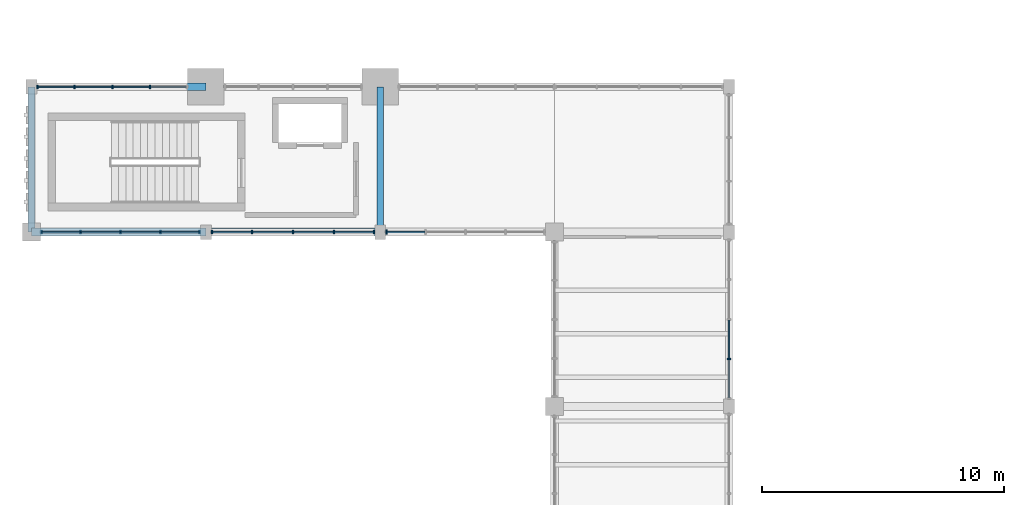
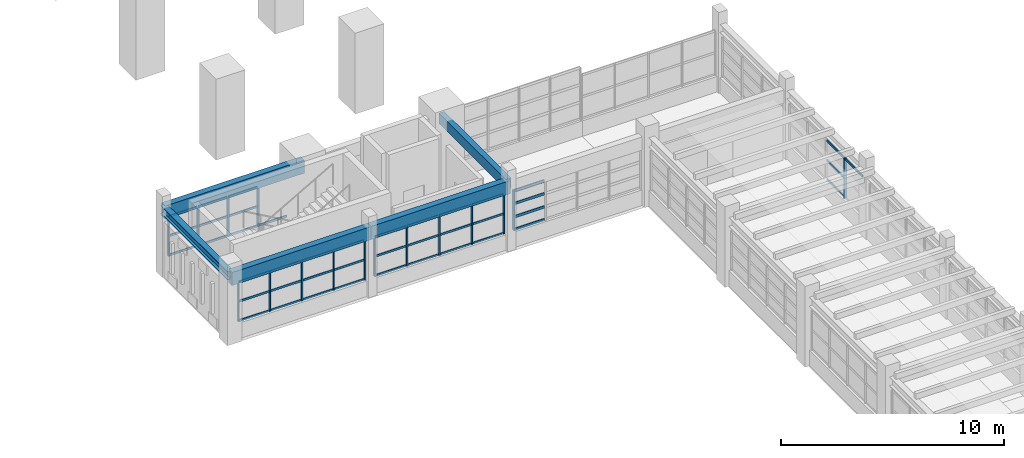
# One storey, part 6 of 69: 58 members, 5 beams, 5 elements without a shape of their own.
"""IFC4 building model written with IfcOpenShell, lengths in metres."""

from ifc_helpers import new_model, si_unit, direction, frame, origin, origin_2d, place, context, subcontext, project, spatial, rectangle, i_section, extrude, material, material_profile, profile_set, type_object, element, aggregate, save


model = new_model("IFC4")

# Units and contexts
model_context = context("Model", 3, precision=1e-05, world=origin(), true_north=direction((0.0, 1.0)))
body_context = subcontext(model_context, "Body", "Model", "MODEL_VIEW")
ifc_project = project(units=[si_unit("LENGTHUNIT", "METRE"), si_unit("AREAUNIT", "SQUARE_METRE"), si_unit("VOLUMEUNIT", "CUBIC_METRE"), si_unit("PLANEANGLEUNIT", "RADIAN"), si_unit("MASSUNIT", "GRAM", prefix="KILO")], contexts=[model_context])

# Site, building, storey
site_placement = place(None, origin())
site = spatial("IfcSite", under=ifc_project, at=site_placement, CompositionType="ELEMENT")
building_placement = place(site_placement, origin())
building = spatial("IfcBuilding", under=site, at=building_placement, Name="Nzembalo Square Collegiate School", CompositionType="ELEMENT")
storey_placement = place(building_placement, frame((0.0, 0.0, 5.10009765625)))
storey = spatial("IfcBuildingStorey", under=building, at=storey_placement, Name="L01", CompositionType="ELEMENT", Elevation=5.10009765625)

# Beams
ifc_material_1 = material(Name="Glulam GL32h", Category="wood")
ifc_material_profile_1 = material_profile(ifc_material_1, rectangle(XDim=0.320068359375, YDim=0.719970703125, at=origin_2d()), Name="GL32h 320x720")
ifc_profile_set_1 = profile_set([ifc_material_profile_1], Name="Glulam GL32h")
beam_type_1 = type_object("IfcBeamType", Name="B03", PredefinedType="BEAM", material=ifc_profile_set_1)
beam_1_placement = place(storey_placement, frame((8.39990234375, 44.39990234375, 3.389892578125), z_axis=(1.0, 0.0, 0.0), x_axis=(0.0, 1.0, 0.0)))
element("IfcBeam", 1, at=beam_1_placement, inside=storey, type_object=beam_type_1, Name="Beam B03 L01", PredefinedType="BEAM", context=body_context, shape_type="SweptSolid", body=[
    extrude(rectangle(XDim=0.320068359375, YDim=0.719970703125, at=origin_2d()), origin(), (0.0, 0.0, 1.0), 7.2001953125),
])
beam_2_placement = place(storey_placement, frame((15.60009765625, 44.39990234375, 3.389892578125), z_axis=(1.0, 0.0, 0.0), x_axis=(0.0, 1.0, 0.0)))
element("IfcBeam", 2, at=beam_2_placement, inside=storey, type_object=beam_type_1, Name="Beam B03 L01", PredefinedType="BEAM", context=body_context, shape_type="SweptSolid", body=[
    extrude(rectangle(XDim=0.320068359375, YDim=0.719970703125, at=origin_2d()), origin(), (0.0, 0.0, 1.0), 7.199951171875),
])
beam_3_placement = place(storey_placement, frame((8.39990234375, 50.39990234375, 3.389892578125), z_axis=(1.0, 0.0, 0.0), x_axis=(0.0, 1.0, 0.0)))
element("IfcBeam", 3, at=beam_3_placement, inside=storey, type_object=beam_type_1, Name="Beam B03 L01", PredefinedType="BEAM", context=body_context, shape_type="SweptSolid", body=[
    extrude(rectangle(XDim=0.320068359375, YDim=0.719970703125, at=origin_2d()), origin(), (0.0, 0.0, 1.0), 7.2001953125),
])
ifc_material_2 = material(Name="Glulam GL28h", Category="wood")
ifc_material_profile_2 = material_profile(ifc_material_2, rectangle(XDim=0.280029296875, YDim=0.56005859375, at=origin_2d()), Name="GL28h 280x560")
ifc_profile_set_2 = profile_set([ifc_material_profile_2], Name="Glulam GL28h")
beam_type_2 = type_object("IfcBeamType", Name="B05", PredefinedType="BEAM", material=ifc_profile_set_2)
beam_4_placement = place(storey_placement, frame((22.800048828125, 44.39990234375, 3.469970703125), z_axis=(0.0, 1.0, 0.0), x_axis=(-1.0, 0.0, 0.0)))
element("IfcBeam", 4, at=beam_4_placement, inside=storey, type_object=beam_type_2, Name="Beam B05 L01", PredefinedType="BEAM", context=body_context, shape_type="SweptSolid", body=[
    extrude(rectangle(XDim=0.280029296875, YDim=0.56005859375, at=origin_2d()), origin(), (0.0, 0.0, 1.0), 6.0),
])
ifc_material_3 = material(Name="Steel S355", Category="steel")
ifc_material_profile_3 = material_profile(ifc_material_3, i_section(OverallWidth=0.300048828125, OverallDepth=0.449951171875, WebThickness=0.013916015625, FlangeThickness=0.02587890625, at=origin_2d()), Name="HEB 450")
ifc_profile_set_3 = profile_set([ifc_material_profile_3], Name="Steel S355")
beam_type_3 = type_object("IfcBeamType", Name="B08", PredefinedType="BEAM", material=ifc_profile_set_3)
beam_5_placement = place(storey_placement, frame((8.39990234375, 44.39990234375, 3.52490234375), z_axis=(0.0, 1.0, 0.0), x_axis=(-1.0, 0.0, 0.0)))
element("IfcBeam", 5, at=beam_5_placement, inside=storey, type_object=beam_type_3, Name="Beam B08 L01", PredefinedType="BEAM", context=body_context, shape_type="SweptSolid", body=[
    extrude(i_section(OverallWidth=0.300048828125, OverallDepth=0.449951171875, WebThickness=0.013916015625, FlangeThickness=0.02587890625, at=origin_2d()), origin(), (0.0, 0.0, 1.0), 6.0),
])

# Curtain wall, member
ifc_material_4 = material(Name="Aluminium 6060-T66", Category="aluminium")
curtain_wall_type_1 = type_object("IfcCurtainWallType", Name="CW-05", PredefinedType="USERDEFINED", material=ifc_material_4)
curtain_wall_1_placement = place(storey_placement, origin())
curtain_wall_1 = element("IfcCurtainWall", 6, at=curtain_wall_1_placement, inside=storey, type_object=curtain_wall_type_1, Name="Curtain wall CW-05 cw:L01:052", ObjectType="LANCET", PredefinedType="USERDEFINED")
ifc_material_5 = material(Name="Aluminium 6060-T66", Category="aluminium")
ifc_material_profile_4 = material_profile(ifc_material_5, rectangle(XDim=0.06005859375, YDim=0.179931640625, at=origin_2d()), Name="ALU M60x180")
ifc_profile_set_4 = profile_set([ifc_material_profile_4], Name="Aluminium 6060-T66")
member_type_1 = type_object("IfcMemberType", Name="ML01", PredefinedType="MULLION", material=ifc_profile_set_4)
member_1_placement = place(storey_placement, frame((23.056884765625, 44.39990234375, 0.849853515625), z_axis=(0.0, 0.0, 1.0), x_axis=(1.0, 0.0, 0.0)))
member_1 = element("IfcMember", 7, at=member_1_placement, type_object=member_type_1, Name="ML01 mullion 1", PredefinedType="MULLION", context=body_context, shape_type="SweptSolid", body=[
    extrude(rectangle(XDim=0.06005859375, YDim=0.179931640625, at=origin_2d()), origin(), (0.0, 0.0, 1.0), 2.174072265625),
])

# Curtain wall, members
ifc_material_6 = material(Name="Aluminium 6060-T66", Category="aluminium")
curtain_wall_type_2 = type_object("IfcCurtainWallType", Name="CW-04", PredefinedType="USERDEFINED", material=ifc_material_6)
curtain_wall_2_placement = place(storey_placement, origin())
curtain_wall_2 = element("IfcCurtainWall", 8, at=curtain_wall_2_placement, inside=storey, type_object=curtain_wall_type_2, Name="Curtain wall CW-04 cw:L01:035", ObjectType="UNITISED", PredefinedType="USERDEFINED")
ifc_material_7 = material(Name="Aluminium 6060-T66", Category="aluminium")
ifc_material_profile_5 = material_profile(ifc_material_7, rectangle(XDim=0.06005859375, YDim=0.14990234375, at=origin_2d()), Name="ALU M60x150")
ifc_profile_set_5 = profile_set([ifc_material_profile_5], Name="Aluminium 6060-T66")
member_type_2 = type_object("IfcMemberType", Name="ML02", PredefinedType="MULLION", material=ifc_profile_set_5)
member_2_placement = place(storey_placement, frame((8.656982421875, 50.39990234375, 0.849853515625), z_axis=(0.0, 0.0, 1.0), x_axis=(1.0, 0.0, 0.0)))
member_2 = element("IfcMember", 9, at=member_2_placement, type_object=member_type_2, Name="ML02 mullion 1", PredefinedType="MULLION", context=body_context, shape_type="SweptSolid", body=[
    extrude(rectangle(XDim=0.06005859375, YDim=0.14990234375, at=origin_2d()), origin(), (0.0, 0.0, 1.0), 2.174072265625),
])
member_3_placement = place(storey_placement, frame((10.18212890625, 50.39990234375, 0.849853515625), z_axis=(0.0, 0.0, 1.0), x_axis=(1.0, 0.0, 0.0)))
member_3 = element("IfcMember", 10, at=member_3_placement, type_object=member_type_2, Name="ML02 mullion 2", PredefinedType="MULLION", context=body_context, shape_type="SweptSolid", body=[
    extrude(rectangle(XDim=0.06005859375, YDim=0.14990234375, at=origin_2d()), origin(), (0.0, 0.0, 1.0), 2.174072265625),
])
member_4_placement = place(storey_placement, frame((11.737548828125, 50.39990234375, 0.849853515625), z_axis=(0.0, 0.0, 1.0), x_axis=(1.0, 0.0, 0.0)))
member_4 = element("IfcMember", 11, at=member_4_placement, type_object=member_type_2, Name="ML02 mullion 3", PredefinedType="MULLION", context=body_context, shape_type="SweptSolid", body=[
    extrude(rectangle(XDim=0.06005859375, YDim=0.14990234375, at=origin_2d()), origin(), (0.0, 0.0, 1.0), 2.174072265625),
])
member_5_placement = place(storey_placement, frame((13.292724609375, 50.39990234375, 0.849853515625), z_axis=(0.0, 0.0, 1.0), x_axis=(1.0, 0.0, 0.0)))
member_5 = element("IfcMember", 12, at=member_5_placement, type_object=member_type_2, Name="ML02 mullion 4", PredefinedType="MULLION", context=body_context, shape_type="SweptSolid", body=[
    extrude(rectangle(XDim=0.06005859375, YDim=0.14990234375, at=origin_2d()), origin(), (0.0, 0.0, 1.0), 2.174072265625),
])

# Curtain wall, member
curtain_wall_3_placement = place(storey_placement, origin())
curtain_wall_3 = element("IfcCurtainWall", 13, at=curtain_wall_3_placement, inside=storey, type_object=curtain_wall_type_2, Name="Curtain wall CW-04 cw:L01:043", ObjectType="UNITISED", PredefinedType="USERDEFINED")
member_6_placement = place(storey_placement, frame((37.199951171875, 39.15087890625, 0.849853515625), z_axis=(0.0, 0.0, 1.0), x_axis=(0.0, 1.0, 0.0)))
member_6 = element("IfcMember", 14, at=member_6_placement, type_object=member_type_2, Name="ML02 mullion 2", PredefinedType="MULLION", context=body_context, shape_type="SweptSolid", body=[
    extrude(rectangle(XDim=0.06005859375, YDim=0.14990234375, at=origin_2d()), origin(), (0.0, 0.0, 1.0), 2.174072265625),
])

# Curtain wall, members
ifc_material_8 = material(Name="Aluminium 6060-T66", Category="aluminium")
curtain_wall_type_3 = type_object("IfcCurtainWallType", Name="CW-03", PredefinedType="USERDEFINED", material=ifc_material_8)
curtain_wall_4_placement = place(storey_placement, origin())
curtain_wall_4 = element("IfcCurtainWall", 15, at=curtain_wall_4_placement, inside=storey, type_object=curtain_wall_type_3, Name="Curtain wall CW-03 cw:L01:050", ObjectType="UNITISED", PredefinedType="USERDEFINED")
member_7_placement = place(storey_placement, frame((8.806884765625, 44.39990234375, 0.849853515625), z_axis=(0.0, 0.0, 1.0), x_axis=(1.0, 0.0, 0.0)))
member_7 = element("IfcMember", 16, at=member_7_placement, type_object=member_type_2, Name="ML02 mullion 1", PredefinedType="MULLION", context=body_context, shape_type="SweptSolid", body=[
    extrude(rectangle(XDim=0.06005859375, YDim=0.14990234375, at=origin_2d()), origin(), (0.0, 0.0, 1.0), 2.174072265625),
])
member_8_placement = place(storey_placement, frame((10.426025390625, 44.39990234375, 0.849853515625), z_axis=(0.0, 0.0, 1.0), x_axis=(1.0, 0.0, 0.0)))
member_8 = element("IfcMember", 17, at=member_8_placement, type_object=member_type_2, Name="ML02 mullion 2", PredefinedType="MULLION", context=body_context, shape_type="SweptSolid", body=[
    extrude(rectangle(XDim=0.06005859375, YDim=0.14990234375, at=origin_2d()), origin(), (0.0, 0.0, 1.0), 2.174072265625),
])
member_9_placement = place(storey_placement, frame((12.074951171875, 44.39990234375, 0.849853515625), z_axis=(0.0, 0.0, 1.0), x_axis=(1.0, 0.0, 0.0)))
member_9 = element("IfcMember", 18, at=member_9_placement, type_object=member_type_2, Name="ML02 mullion 3", PredefinedType="MULLION", context=body_context, shape_type="SweptSolid", body=[
    extrude(rectangle(XDim=0.06005859375, YDim=0.14990234375, at=origin_2d()), origin(), (0.0, 0.0, 1.0), 2.174072265625),
])
member_10_placement = place(storey_placement, frame((13.72412109375, 44.39990234375, 0.849853515625), z_axis=(0.0, 0.0, 1.0), x_axis=(1.0, 0.0, 0.0)))
member_10 = element("IfcMember", 19, at=member_10_placement, type_object=member_type_2, Name="ML02 mullion 4", PredefinedType="MULLION", context=body_context, shape_type="SweptSolid", body=[
    extrude(rectangle(XDim=0.06005859375, YDim=0.14990234375, at=origin_2d()), origin(), (0.0, 0.0, 1.0), 2.174072265625),
])
member_11_placement = place(storey_placement, frame((15.343017578125, 44.39990234375, 0.849853515625), z_axis=(0.0, 0.0, 1.0), x_axis=(1.0, 0.0, 0.0)))
member_11 = element("IfcMember", 20, at=member_11_placement, type_object=member_type_2, Name="ML02 mullion 5", PredefinedType="MULLION", context=body_context, shape_type="SweptSolid", body=[
    extrude(rectangle(XDim=0.06005859375, YDim=0.14990234375, at=origin_2d()), origin(), (0.0, 0.0, 1.0), 2.174072265625),
])

curtain_wall_5_placement = place(storey_placement, origin())
curtain_wall_5 = element("IfcCurtainWall", 21, at=curtain_wall_5_placement, inside=storey, type_object=curtain_wall_type_2, Name="Curtain wall CW-04 cw:L01:051", ObjectType="UNITISED", PredefinedType="USERDEFINED")
member_12_placement = place(storey_placement, frame((15.85693359375, 44.39990234375, 0.849853515625), z_axis=(0.0, 0.0, 1.0), x_axis=(1.0, 0.0, 0.0)))
member_12 = element("IfcMember", 22, at=member_12_placement, type_object=member_type_2, Name="ML02 mullion 1", PredefinedType="MULLION", context=body_context, shape_type="SweptSolid", body=[
    extrude(rectangle(XDim=0.06005859375, YDim=0.14990234375, at=origin_2d()), origin(), (0.0, 0.0, 1.0), 2.174072265625),
])
member_13_placement = place(storey_placement, frame((17.513427734375, 44.39990234375, 0.849853515625), z_axis=(0.0, 0.0, 1.0), x_axis=(1.0, 0.0, 0.0)))
member_13 = element("IfcMember", 23, at=member_13_placement, type_object=member_type_2, Name="ML02 mullion 2", PredefinedType="MULLION", context=body_context, shape_type="SweptSolid", body=[
    extrude(rectangle(XDim=0.06005859375, YDim=0.14990234375, at=origin_2d()), origin(), (0.0, 0.0, 1.0), 2.174072265625),
])
member_14_placement = place(storey_placement, frame((19.199951171875, 44.39990234375, 0.849853515625), z_axis=(0.0, 0.0, 1.0), x_axis=(1.0, 0.0, 0.0)))
member_14 = element("IfcMember", 24, at=member_14_placement, type_object=member_type_2, Name="ML02 mullion 3", PredefinedType="MULLION", context=body_context, shape_type="SweptSolid", body=[
    extrude(rectangle(XDim=0.06005859375, YDim=0.14990234375, at=origin_2d()), origin(), (0.0, 0.0, 1.0), 2.174072265625),
])
member_15_placement = place(storey_placement, frame((20.886474609375, 44.39990234375, 0.849853515625), z_axis=(0.0, 0.0, 1.0), x_axis=(1.0, 0.0, 0.0)))
member_15 = element("IfcMember", 25, at=member_15_placement, type_object=member_type_2, Name="ML02 mullion 4", PredefinedType="MULLION", context=body_context, shape_type="SweptSolid", body=[
    extrude(rectangle(XDim=0.06005859375, YDim=0.14990234375, at=origin_2d()), origin(), (0.0, 0.0, 1.0), 2.174072265625),
])
member_16_placement = place(storey_placement, frame((22.54296875, 44.39990234375, 0.849853515625), z_axis=(0.0, 0.0, 1.0), x_axis=(1.0, 0.0, 0.0)))
member_16 = element("IfcMember", 26, at=member_16_placement, type_object=member_type_2, Name="ML02 mullion 5", PredefinedType="MULLION", context=body_context, shape_type="SweptSolid", body=[
    extrude(rectangle(XDim=0.06005859375, YDim=0.14990234375, at=origin_2d()), origin(), (0.0, 0.0, 1.0), 2.174072265625),
])

# Member
ifc_material_9 = material(Name="Aluminium 6060-T66", Category="aluminium")
ifc_material_profile_6 = material_profile(ifc_material_9, rectangle(XDim=0.06005859375, YDim=0.139892578125, at=origin_2d()), Name="ALU T60x140")
ifc_profile_set_6 = profile_set([ifc_material_profile_6], Name="Aluminium 6060-T66")
member_type_3 = type_object("IfcMemberType", Name="TR01", PredefinedType="USERDEFINED", material=ifc_profile_set_6)
member_17_placement = place(storey_placement, frame((23.0869140625, 44.39990234375, 0.8798828125), z_axis=(1.0, 0.0, 0.0), x_axis=(0.0, 1.0, 0.0)))
member_17 = element("IfcMember", 27, at=member_17_placement, type_object=member_type_3, Name="TR01 transom 1-1", ObjectType="TRANSOM", PredefinedType="USERDEFINED", context=body_context, shape_type="SweptSolid", body=[
    extrude(rectangle(XDim=0.06005859375, YDim=0.139892578125, at=origin_2d()), origin(), (0.0, 0.0, 1.0), 1.55908203125),
])

member_18_placement = place(storey_placement, frame((23.0869140625, 44.39990234375, 1.574462890625), z_axis=(1.0, 0.0, 0.0), x_axis=(0.0, 1.0, 0.0)))
member_18 = element("IfcMember", 28, at=member_18_placement, type_object=member_type_3, Name="TR01 transom 2-1", ObjectType="TRANSOM", PredefinedType="USERDEFINED", context=body_context, shape_type="SweptSolid", body=[
    extrude(rectangle(XDim=0.06005859375, YDim=0.139892578125, at=origin_2d()), origin(), (0.0, 0.0, 1.0), 1.55908203125),
])

member_19_placement = place(storey_placement, frame((23.0869140625, 44.39990234375, 2.29931640625), z_axis=(1.0, 0.0, 0.0), x_axis=(0.0, 1.0, 0.0)))
member_19 = element("IfcMember", 29, at=member_19_placement, type_object=member_type_3, Name="TR01 transom 3-1", ObjectType="TRANSOM", PredefinedType="USERDEFINED", context=body_context, shape_type="SweptSolid", body=[
    extrude(rectangle(XDim=0.06005859375, YDim=0.139892578125, at=origin_2d()), origin(), (0.0, 0.0, 1.0), 1.55908203125),
])

member_20_placement = place(storey_placement, frame((23.0869140625, 44.39990234375, 2.993896484375), z_axis=(1.0, 0.0, 0.0), x_axis=(0.0, 1.0, 0.0)))
member_20 = element("IfcMember", 30, at=member_20_placement, type_object=member_type_3, Name="TR01 transom 4-1", ObjectType="TRANSOM", PredefinedType="USERDEFINED", context=body_context, shape_type="SweptSolid", body=[
    extrude(rectangle(XDim=0.06005859375, YDim=0.139892578125, at=origin_2d()), origin(), (0.0, 0.0, 1.0), 1.55908203125),
])

aggregate(curtain_wall_1, [member_1, member_17, member_18, member_19, member_20])

ifc_material_10 = material(Name="Aluminium 6060-T66", Category="aluminium")
ifc_material_profile_7 = material_profile(ifc_material_10, rectangle(XDim=0.06005859375, YDim=0.110107421875, at=origin_2d()), Name="ALU T60x110")
ifc_profile_set_7 = profile_set([ifc_material_profile_7], Name="Aluminium 6060-T66")
member_type_4 = type_object("IfcMemberType", Name="TR02", PredefinedType="USERDEFINED", material=ifc_profile_set_7)
member_21_placement = place(storey_placement, frame((8.68701171875, 50.39990234375, 0.8798828125), z_axis=(1.0, 0.0, 0.0), x_axis=(0.0, 1.0, 0.0)))
member_21 = element("IfcMember", 31, at=member_21_placement, type_object=member_type_4, Name="TR02 transom 1-1", ObjectType="TRANSOM", PredefinedType="USERDEFINED", context=body_context, shape_type="SweptSolid", body=[
    extrude(rectangle(XDim=0.06005859375, YDim=0.110107421875, at=origin_2d()), origin(), (0.0, 0.0, 1.0), 1.46533203125),
])

member_22_placement = place(storey_placement, frame((10.212158203125, 50.39990234375, 0.8798828125), z_axis=(1.0, 0.0, 0.0), x_axis=(0.0, 1.0, 0.0)))
member_22 = element("IfcMember", 32, at=member_22_placement, type_object=member_type_4, Name="TR02 transom 1-2", ObjectType="TRANSOM", PredefinedType="USERDEFINED", context=body_context, shape_type="SweptSolid", body=[
    extrude(rectangle(XDim=0.06005859375, YDim=0.110107421875, at=origin_2d()), origin(), (0.0, 0.0, 1.0), 1.495361328125),
])

member_23_placement = place(storey_placement, frame((11.767578125, 50.39990234375, 0.8798828125), z_axis=(1.0, 0.0, 0.0), x_axis=(0.0, 1.0, 0.0)))
member_23 = element("IfcMember", 33, at=member_23_placement, type_object=member_type_4, Name="TR02 transom 1-3", ObjectType="TRANSOM", PredefinedType="USERDEFINED", context=body_context, shape_type="SweptSolid", body=[
    extrude(rectangle(XDim=0.06005859375, YDim=0.110107421875, at=origin_2d()), origin(), (0.0, 0.0, 1.0), 1.4951171875),
])

member_24_placement = place(storey_placement, frame((13.32275390625, 50.39990234375, 0.8798828125), z_axis=(1.0, 0.0, 0.0), x_axis=(0.0, 1.0, 0.0)))
member_24 = element("IfcMember", 34, at=member_24_placement, type_object=member_type_4, Name="TR02 transom 1-4", ObjectType="TRANSOM", PredefinedType="USERDEFINED", context=body_context, shape_type="SweptSolid", body=[
    extrude(rectangle(XDim=0.06005859375, YDim=0.110107421875, at=origin_2d()), origin(), (0.0, 0.0, 1.0), 1.46533203125),
])

member_25_placement = place(storey_placement, frame((8.68701171875, 50.39990234375, 1.93701171875), z_axis=(1.0, 0.0, 0.0), x_axis=(0.0, 1.0, 0.0)))
member_25 = element("IfcMember", 35, at=member_25_placement, type_object=member_type_4, Name="TR02 transom 2-1", ObjectType="TRANSOM", PredefinedType="USERDEFINED", context=body_context, shape_type="SweptSolid", body=[
    extrude(rectangle(XDim=0.06005859375, YDim=0.110107421875, at=origin_2d()), origin(), (0.0, 0.0, 1.0), 1.46533203125),
])

member_26_placement = place(storey_placement, frame((10.212158203125, 50.39990234375, 1.93701171875), z_axis=(1.0, 0.0, 0.0), x_axis=(0.0, 1.0, 0.0)))
member_26 = element("IfcMember", 36, at=member_26_placement, type_object=member_type_4, Name="TR02 transom 2-2", ObjectType="TRANSOM", PredefinedType="USERDEFINED", context=body_context, shape_type="SweptSolid", body=[
    extrude(rectangle(XDim=0.06005859375, YDim=0.110107421875, at=origin_2d()), origin(), (0.0, 0.0, 1.0), 1.495361328125),
])

member_27_placement = place(storey_placement, frame((11.767578125, 50.39990234375, 1.93701171875), z_axis=(1.0, 0.0, 0.0), x_axis=(0.0, 1.0, 0.0)))
member_27 = element("IfcMember", 37, at=member_27_placement, type_object=member_type_4, Name="TR02 transom 2-3", ObjectType="TRANSOM", PredefinedType="USERDEFINED", context=body_context, shape_type="SweptSolid", body=[
    extrude(rectangle(XDim=0.06005859375, YDim=0.110107421875, at=origin_2d()), origin(), (0.0, 0.0, 1.0), 1.4951171875),
])

member_28_placement = place(storey_placement, frame((8.68701171875, 50.39990234375, 2.993896484375), z_axis=(1.0, 0.0, 0.0), x_axis=(0.0, 1.0, 0.0)))
member_28 = element("IfcMember", 38, at=member_28_placement, type_object=member_type_4, Name="TR02 transom 3-1", ObjectType="TRANSOM", PredefinedType="USERDEFINED", context=body_context, shape_type="SweptSolid", body=[
    extrude(rectangle(XDim=0.06005859375, YDim=0.110107421875, at=origin_2d()), origin(), (0.0, 0.0, 1.0), 1.46533203125),
])

member_29_placement = place(storey_placement, frame((10.212158203125, 50.39990234375, 2.993896484375), z_axis=(1.0, 0.0, 0.0), x_axis=(0.0, 1.0, 0.0)))
member_29 = element("IfcMember", 39, at=member_29_placement, type_object=member_type_4, Name="TR02 transom 3-2", ObjectType="TRANSOM", PredefinedType="USERDEFINED", context=body_context, shape_type="SweptSolid", body=[
    extrude(rectangle(XDim=0.06005859375, YDim=0.110107421875, at=origin_2d()), origin(), (0.0, 0.0, 1.0), 1.495361328125),
])

member_30_placement = place(storey_placement, frame((11.767578125, 50.39990234375, 2.993896484375), z_axis=(1.0, 0.0, 0.0), x_axis=(0.0, 1.0, 0.0)))
member_30 = element("IfcMember", 40, at=member_30_placement, type_object=member_type_4, Name="TR02 transom 3-3", ObjectType="TRANSOM", PredefinedType="USERDEFINED", context=body_context, shape_type="SweptSolid", body=[
    extrude(rectangle(XDim=0.06005859375, YDim=0.110107421875, at=origin_2d()), origin(), (0.0, 0.0, 1.0), 1.4951171875),
])

aggregate(curtain_wall_2, [member_2, member_3, member_4, member_5, member_21, member_22, member_23, member_24, member_25, member_26, member_27, member_28, member_29, member_30])

member_31_placement = place(storey_placement, frame((37.199951171875, 39.180908203125, 0.8798828125), z_axis=(0.0, 1.0, 0.0), x_axis=(-1.0, 0.0, 0.0)))
member_31 = element("IfcMember", 41, at=member_31_placement, type_object=member_type_4, Name="TR02 transom 1-2", ObjectType="TRANSOM", PredefinedType="USERDEFINED", context=body_context, shape_type="SweptSolid", body=[
    extrude(rectangle(XDim=0.06005859375, YDim=0.110107421875, at=origin_2d()), origin(), (0.0, 0.0, 1.0), 1.589111328125),
])

member_32_placement = place(storey_placement, frame((37.199951171875, 39.180908203125, 1.93701171875), z_axis=(0.0, 1.0, 0.0), x_axis=(-1.0, 0.0, 0.0)))
member_32 = element("IfcMember", 42, at=member_32_placement, type_object=member_type_4, Name="TR02 transom 2-2", ObjectType="TRANSOM", PredefinedType="USERDEFINED", context=body_context, shape_type="SweptSolid", body=[
    extrude(rectangle(XDim=0.06005859375, YDim=0.110107421875, at=origin_2d()), origin(), (0.0, 0.0, 1.0), 1.589111328125),
])

member_33_placement = place(storey_placement, frame((37.199951171875, 37.56201171875, 2.993896484375), z_axis=(0.0, 1.0, 0.0), x_axis=(-1.0, 0.0, 0.0)))
member_33 = element("IfcMember", 43, at=member_33_placement, type_object=member_type_4, Name="TR02 transom 3-1", ObjectType="TRANSOM", PredefinedType="USERDEFINED", context=body_context, shape_type="SweptSolid", body=[
    extrude(rectangle(XDim=0.06005859375, YDim=0.110107421875, at=origin_2d()), origin(), (0.0, 0.0, 1.0), 1.55908203125),
])

member_34_placement = place(storey_placement, frame((37.199951171875, 39.180908203125, 2.993896484375), z_axis=(0.0, 1.0, 0.0), x_axis=(-1.0, 0.0, 0.0)))
member_34 = element("IfcMember", 44, at=member_34_placement, type_object=member_type_4, Name="TR02 transom 3-2", ObjectType="TRANSOM", PredefinedType="USERDEFINED", context=body_context, shape_type="SweptSolid", body=[
    extrude(rectangle(XDim=0.06005859375, YDim=0.110107421875, at=origin_2d()), origin(), (0.0, 0.0, 1.0), 1.589111328125),
])

aggregate(curtain_wall_3, [member_6, member_31, member_32, member_33, member_34])

member_35_placement = place(storey_placement, frame((8.8369140625, 44.39990234375, 0.8798828125), z_axis=(1.0, 0.0, 0.0), x_axis=(0.0, 1.0, 0.0)))
member_35 = element("IfcMember", 45, at=member_35_placement, type_object=member_type_4, Name="TR02 transom 1-1", ObjectType="TRANSOM", PredefinedType="USERDEFINED", context=body_context, shape_type="SweptSolid", body=[
    extrude(rectangle(XDim=0.06005859375, YDim=0.110107421875, at=origin_2d()), origin(), (0.0, 0.0, 1.0), 1.55908203125),
])

member_36_placement = place(storey_placement, frame((10.4560546875, 44.39990234375, 0.8798828125), z_axis=(1.0, 0.0, 0.0), x_axis=(0.0, 1.0, 0.0)))
member_36 = element("IfcMember", 46, at=member_36_placement, type_object=member_type_4, Name="TR02 transom 1-2", ObjectType="TRANSOM", PredefinedType="USERDEFINED", context=body_context, shape_type="SweptSolid", body=[
    extrude(rectangle(XDim=0.06005859375, YDim=0.110107421875, at=origin_2d()), origin(), (0.0, 0.0, 1.0), 1.5888671875),
])

member_37_placement = place(storey_placement, frame((12.10498046875, 44.39990234375, 0.8798828125), z_axis=(1.0, 0.0, 0.0), x_axis=(0.0, 1.0, 0.0)))
member_37 = element("IfcMember", 47, at=member_37_placement, type_object=member_type_4, Name="TR02 transom 1-3", ObjectType="TRANSOM", PredefinedType="USERDEFINED", context=body_context, shape_type="SweptSolid", body=[
    extrude(rectangle(XDim=0.06005859375, YDim=0.110107421875, at=origin_2d()), origin(), (0.0, 0.0, 1.0), 1.589111328125),
])

member_38_placement = place(storey_placement, frame((13.75390625, 44.39990234375, 0.8798828125), z_axis=(1.0, 0.0, 0.0), x_axis=(0.0, 1.0, 0.0)))
member_38 = element("IfcMember", 48, at=member_38_placement, type_object=member_type_4, Name="TR02 transom 1-4", ObjectType="TRANSOM", PredefinedType="USERDEFINED", context=body_context, shape_type="SweptSolid", body=[
    extrude(rectangle(XDim=0.06005859375, YDim=0.110107421875, at=origin_2d()), origin(), (0.0, 0.0, 1.0), 1.55908203125),
])

member_39_placement = place(storey_placement, frame((8.8369140625, 44.39990234375, 1.93701171875), z_axis=(1.0, 0.0, 0.0), x_axis=(0.0, 1.0, 0.0)))
member_39 = element("IfcMember", 49, at=member_39_placement, type_object=member_type_4, Name="TR02 transom 2-1", ObjectType="TRANSOM", PredefinedType="USERDEFINED", context=body_context, shape_type="SweptSolid", body=[
    extrude(rectangle(XDim=0.06005859375, YDim=0.110107421875, at=origin_2d()), origin(), (0.0, 0.0, 1.0), 1.55908203125),
])

member_40_placement = place(storey_placement, frame((10.4560546875, 44.39990234375, 1.93701171875), z_axis=(1.0, 0.0, 0.0), x_axis=(0.0, 1.0, 0.0)))
member_40 = element("IfcMember", 50, at=member_40_placement, type_object=member_type_4, Name="TR02 transom 2-2", ObjectType="TRANSOM", PredefinedType="USERDEFINED", context=body_context, shape_type="SweptSolid", body=[
    extrude(rectangle(XDim=0.06005859375, YDim=0.110107421875, at=origin_2d()), origin(), (0.0, 0.0, 1.0), 1.5888671875),
])

member_41_placement = place(storey_placement, frame((12.10498046875, 44.39990234375, 1.93701171875), z_axis=(1.0, 0.0, 0.0), x_axis=(0.0, 1.0, 0.0)))
member_41 = element("IfcMember", 51, at=member_41_placement, type_object=member_type_4, Name="TR02 transom 2-3", ObjectType="TRANSOM", PredefinedType="USERDEFINED", context=body_context, shape_type="SweptSolid", body=[
    extrude(rectangle(XDim=0.06005859375, YDim=0.110107421875, at=origin_2d()), origin(), (0.0, 0.0, 1.0), 1.589111328125),
])

member_42_placement = place(storey_placement, frame((13.75390625, 44.39990234375, 1.93701171875), z_axis=(1.0, 0.0, 0.0), x_axis=(0.0, 1.0, 0.0)))
member_42 = element("IfcMember", 52, at=member_42_placement, type_object=member_type_4, Name="TR02 transom 2-4", ObjectType="TRANSOM", PredefinedType="USERDEFINED", context=body_context, shape_type="SweptSolid", body=[
    extrude(rectangle(XDim=0.06005859375, YDim=0.110107421875, at=origin_2d()), origin(), (0.0, 0.0, 1.0), 1.55908203125),
])

member_43_placement = place(storey_placement, frame((8.8369140625, 44.39990234375, 2.993896484375), z_axis=(1.0, 0.0, 0.0), x_axis=(0.0, 1.0, 0.0)))
member_43 = element("IfcMember", 53, at=member_43_placement, type_object=member_type_4, Name="TR02 transom 3-1", ObjectType="TRANSOM", PredefinedType="USERDEFINED", context=body_context, shape_type="SweptSolid", body=[
    extrude(rectangle(XDim=0.06005859375, YDim=0.110107421875, at=origin_2d()), origin(), (0.0, 0.0, 1.0), 1.55908203125),
])

member_44_placement = place(storey_placement, frame((10.4560546875, 44.39990234375, 2.993896484375), z_axis=(1.0, 0.0, 0.0), x_axis=(0.0, 1.0, 0.0)))
member_44 = element("IfcMember", 54, at=member_44_placement, type_object=member_type_4, Name="TR02 transom 3-2", ObjectType="TRANSOM", PredefinedType="USERDEFINED", context=body_context, shape_type="SweptSolid", body=[
    extrude(rectangle(XDim=0.06005859375, YDim=0.110107421875, at=origin_2d()), origin(), (0.0, 0.0, 1.0), 1.5888671875),
])

member_45_placement = place(storey_placement, frame((12.10498046875, 44.39990234375, 2.993896484375), z_axis=(1.0, 0.0, 0.0), x_axis=(0.0, 1.0, 0.0)))
member_45 = element("IfcMember", 55, at=member_45_placement, type_object=member_type_4, Name="TR02 transom 3-3", ObjectType="TRANSOM", PredefinedType="USERDEFINED", context=body_context, shape_type="SweptSolid", body=[
    extrude(rectangle(XDim=0.06005859375, YDim=0.110107421875, at=origin_2d()), origin(), (0.0, 0.0, 1.0), 1.589111328125),
])

member_46_placement = place(storey_placement, frame((13.75390625, 44.39990234375, 2.993896484375), z_axis=(1.0, 0.0, 0.0), x_axis=(0.0, 1.0, 0.0)))
member_46 = element("IfcMember", 56, at=member_46_placement, type_object=member_type_4, Name="TR02 transom 3-4", ObjectType="TRANSOM", PredefinedType="USERDEFINED", context=body_context, shape_type="SweptSolid", body=[
    extrude(rectangle(XDim=0.06005859375, YDim=0.110107421875, at=origin_2d()), origin(), (0.0, 0.0, 1.0), 1.55908203125),
])

aggregate(curtain_wall_4, [member_7, member_8, member_9, member_10, member_11, member_35, member_36, member_37, member_38, member_39, member_40, member_41, member_42, member_43, member_44, member_45, member_46])

member_47_placement = place(storey_placement, frame((15.886962890625, 44.39990234375, 0.8798828125), z_axis=(1.0, 0.0, 0.0), x_axis=(0.0, 1.0, 0.0)))
member_47 = element("IfcMember", 57, at=member_47_placement, type_object=member_type_4, Name="TR02 transom 1-1", ObjectType="TRANSOM", PredefinedType="USERDEFINED", context=body_context, shape_type="SweptSolid", body=[
    extrude(rectangle(XDim=0.06005859375, YDim=0.110107421875, at=origin_2d()), origin(), (0.0, 0.0, 1.0), 1.596435546875),
])

member_48_placement = place(storey_placement, frame((17.54345703125, 44.39990234375, 0.8798828125), z_axis=(1.0, 0.0, 0.0), x_axis=(0.0, 1.0, 0.0)))
member_48 = element("IfcMember", 58, at=member_48_placement, type_object=member_type_4, Name="TR02 transom 1-2", ObjectType="TRANSOM", PredefinedType="USERDEFINED", context=body_context, shape_type="SweptSolid", body=[
    extrude(rectangle(XDim=0.06005859375, YDim=0.110107421875, at=origin_2d()), origin(), (0.0, 0.0, 1.0), 1.62646484375),
])

member_49_placement = place(storey_placement, frame((19.22998046875, 44.39990234375, 0.8798828125), z_axis=(1.0, 0.0, 0.0), x_axis=(0.0, 1.0, 0.0)))
member_49 = element("IfcMember", 59, at=member_49_placement, type_object=member_type_4, Name="TR02 transom 1-3", ObjectType="TRANSOM", PredefinedType="USERDEFINED", context=body_context, shape_type="SweptSolid", body=[
    extrude(rectangle(XDim=0.06005859375, YDim=0.110107421875, at=origin_2d()), origin(), (0.0, 0.0, 1.0), 1.62646484375),
])

member_50_placement = place(storey_placement, frame((20.91650390625, 44.39990234375, 0.8798828125), z_axis=(1.0, 0.0, 0.0), x_axis=(0.0, 1.0, 0.0)))
member_50 = element("IfcMember", 60, at=member_50_placement, type_object=member_type_4, Name="TR02 transom 1-4", ObjectType="TRANSOM", PredefinedType="USERDEFINED", context=body_context, shape_type="SweptSolid", body=[
    extrude(rectangle(XDim=0.06005859375, YDim=0.110107421875, at=origin_2d()), origin(), (0.0, 0.0, 1.0), 1.596435546875),
])

member_51_placement = place(storey_placement, frame((15.886962890625, 44.39990234375, 1.93701171875), z_axis=(1.0, 0.0, 0.0), x_axis=(0.0, 1.0, 0.0)))
member_51 = element("IfcMember", 61, at=member_51_placement, type_object=member_type_4, Name="TR02 transom 2-1", ObjectType="TRANSOM", PredefinedType="USERDEFINED", context=body_context, shape_type="SweptSolid", body=[
    extrude(rectangle(XDim=0.06005859375, YDim=0.110107421875, at=origin_2d()), origin(), (0.0, 0.0, 1.0), 1.596435546875),
])

member_52_placement = place(storey_placement, frame((17.54345703125, 44.39990234375, 1.93701171875), z_axis=(1.0, 0.0, 0.0), x_axis=(0.0, 1.0, 0.0)))
member_52 = element("IfcMember", 62, at=member_52_placement, type_object=member_type_4, Name="TR02 transom 2-2", ObjectType="TRANSOM", PredefinedType="USERDEFINED", context=body_context, shape_type="SweptSolid", body=[
    extrude(rectangle(XDim=0.06005859375, YDim=0.110107421875, at=origin_2d()), origin(), (0.0, 0.0, 1.0), 1.62646484375),
])

member_53_placement = place(storey_placement, frame((19.22998046875, 44.39990234375, 1.93701171875), z_axis=(1.0, 0.0, 0.0), x_axis=(0.0, 1.0, 0.0)))
member_53 = element("IfcMember", 63, at=member_53_placement, type_object=member_type_4, Name="TR02 transom 2-3", ObjectType="TRANSOM", PredefinedType="USERDEFINED", context=body_context, shape_type="SweptSolid", body=[
    extrude(rectangle(XDim=0.06005859375, YDim=0.110107421875, at=origin_2d()), origin(), (0.0, 0.0, 1.0), 1.62646484375),
])

member_54_placement = place(storey_placement, frame((20.91650390625, 44.39990234375, 1.93701171875), z_axis=(1.0, 0.0, 0.0), x_axis=(0.0, 1.0, 0.0)))
member_54 = element("IfcMember", 64, at=member_54_placement, type_object=member_type_4, Name="TR02 transom 2-4", ObjectType="TRANSOM", PredefinedType="USERDEFINED", context=body_context, shape_type="SweptSolid", body=[
    extrude(rectangle(XDim=0.06005859375, YDim=0.110107421875, at=origin_2d()), origin(), (0.0, 0.0, 1.0), 1.596435546875),
])

member_55_placement = place(storey_placement, frame((15.886962890625, 44.39990234375, 2.993896484375), z_axis=(1.0, 0.0, 0.0), x_axis=(0.0, 1.0, 0.0)))
member_55 = element("IfcMember", 65, at=member_55_placement, type_object=member_type_4, Name="TR02 transom 3-1", ObjectType="TRANSOM", PredefinedType="USERDEFINED", context=body_context, shape_type="SweptSolid", body=[
    extrude(rectangle(XDim=0.06005859375, YDim=0.110107421875, at=origin_2d()), origin(), (0.0, 0.0, 1.0), 1.596435546875),
])

member_56_placement = place(storey_placement, frame((17.54345703125, 44.39990234375, 2.993896484375), z_axis=(1.0, 0.0, 0.0), x_axis=(0.0, 1.0, 0.0)))
member_56 = element("IfcMember", 66, at=member_56_placement, type_object=member_type_4, Name="TR02 transom 3-2", ObjectType="TRANSOM", PredefinedType="USERDEFINED", context=body_context, shape_type="SweptSolid", body=[
    extrude(rectangle(XDim=0.06005859375, YDim=0.110107421875, at=origin_2d()), origin(), (0.0, 0.0, 1.0), 1.62646484375),
])

member_57_placement = place(storey_placement, frame((19.22998046875, 44.39990234375, 2.993896484375), z_axis=(1.0, 0.0, 0.0), x_axis=(0.0, 1.0, 0.0)))
member_57 = element("IfcMember", 67, at=member_57_placement, type_object=member_type_4, Name="TR02 transom 3-3", ObjectType="TRANSOM", PredefinedType="USERDEFINED", context=body_context, shape_type="SweptSolid", body=[
    extrude(rectangle(XDim=0.06005859375, YDim=0.110107421875, at=origin_2d()), origin(), (0.0, 0.0, 1.0), 1.62646484375),
])

member_58_placement = place(storey_placement, frame((20.91650390625, 44.39990234375, 2.993896484375), z_axis=(1.0, 0.0, 0.0), x_axis=(0.0, 1.0, 0.0)))
member_58 = element("IfcMember", 68, at=member_58_placement, type_object=member_type_4, Name="TR02 transom 3-4", ObjectType="TRANSOM", PredefinedType="USERDEFINED", context=body_context, shape_type="SweptSolid", body=[
    extrude(rectangle(XDim=0.06005859375, YDim=0.110107421875, at=origin_2d()), origin(), (0.0, 0.0, 1.0), 1.596435546875),
])

aggregate(curtain_wall_5, [member_12, member_13, member_14, member_15, member_16, member_47, member_48, member_49, member_50, member_51, member_52, member_53, member_54, member_55, member_56, member_57, member_58])

save(model, "model.ifc")
